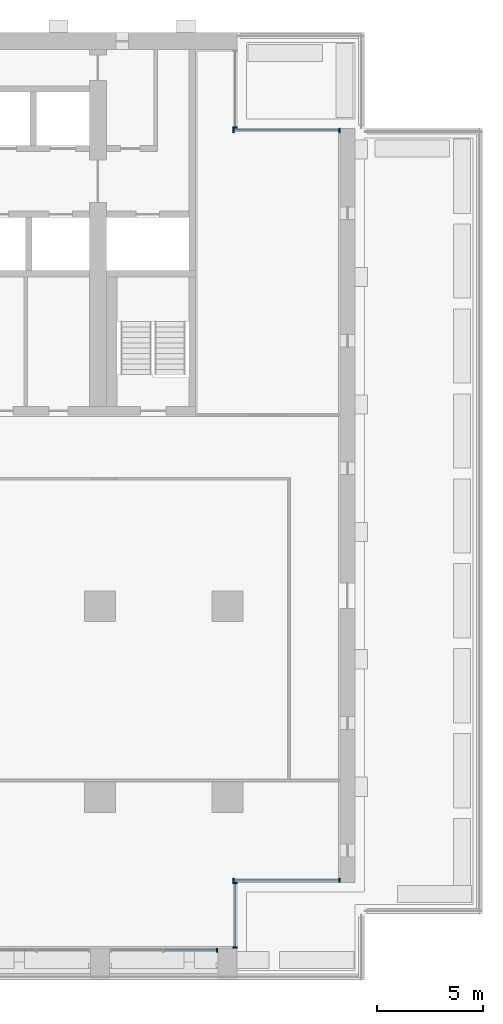
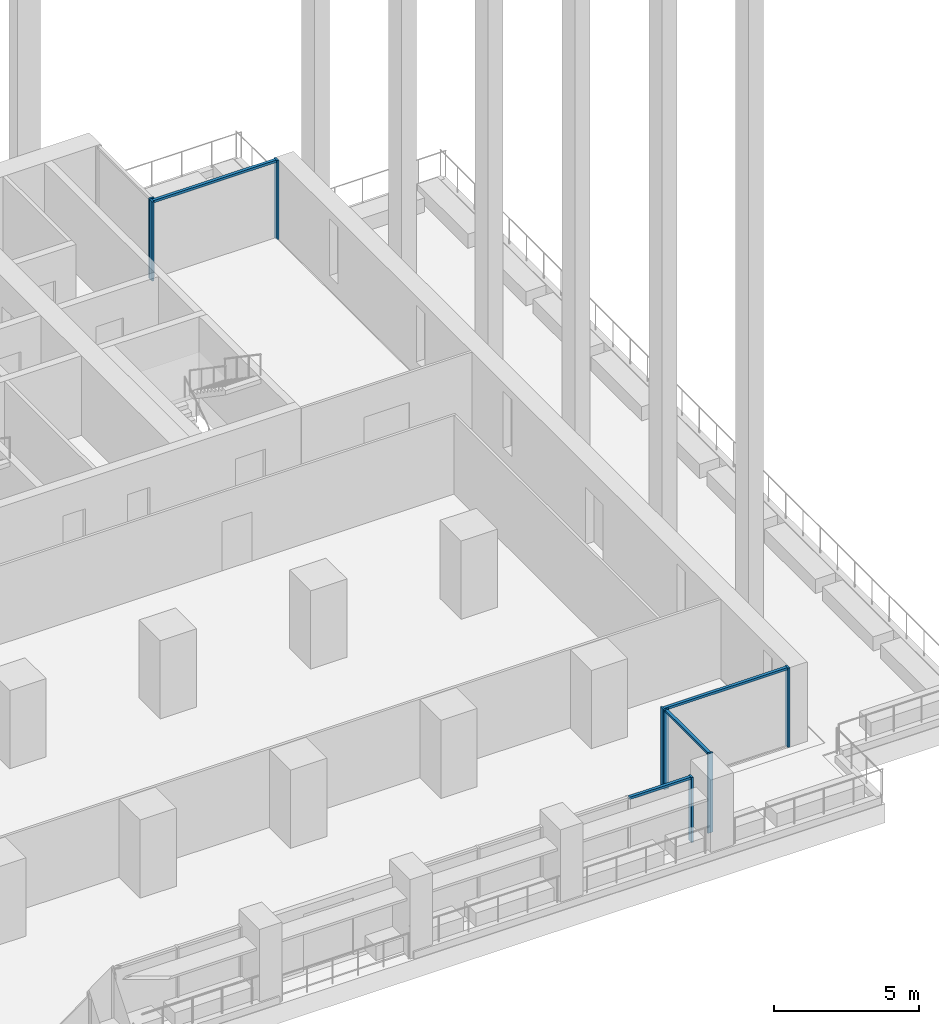
# One storey, part 5 of 18: 12 members, 5 elements without a shape of their own.
"""IFC4 building model written with IfcOpenShell, lengths in metres."""

from ifc_helpers import new_model, si_unit, direction, frame, origin, origin_2d, place, context, subcontext, project, spatial, rectangle, extrude, material, material_profile, profile_set, type_object, element, aggregate, save


model = new_model("IFC4")

# Units and contexts
model_context = context("Model", 3, precision=1e-05, world=origin(), true_north=direction((0.0, 1.0)))
body_context = subcontext(model_context, "Body", "Model", "MODEL_VIEW")
ifc_project = project(units=[si_unit("LENGTHUNIT", "METRE"), si_unit("AREAUNIT", "SQUARE_METRE"), si_unit("VOLUMEUNIT", "CUBIC_METRE"), si_unit("PLANEANGLEUNIT", "RADIAN"), si_unit("MASSUNIT", "GRAM", prefix="KILO")], contexts=[model_context])

# Site, building, storey
site_placement = place(None, origin())
site = spatial("IfcSite", under=ifc_project, at=site_placement, CompositionType="ELEMENT")
building_placement = place(site_placement, origin())
building = spatial("IfcBuilding", under=site, at=building_placement, Name="Calvaro Tower", CompositionType="ELEMENT")
storey_placement = place(building_placement, frame((0.0, 0.0, 95.0)))
storey = spatial("IfcBuildingStorey", under=building, at=storey_placement, Name="L23", CompositionType="ELEMENT", Elevation=95.0)

# Curtain wall, member
ifc_material_1 = material(Name="Anodised aluminium", Category="aluminium")
curtain_wall_type = type_object("IfcCurtainWallType", Name="Office curtain wall, middle zone", PredefinedType="NOTDEFINED", material=ifc_material_1)
curtain_wall_1_placement = place(storey_placement, origin())
curtain_wall_1 = element("IfcCurtainWall", 1, at=curtain_wall_1_placement, inside=storey, type_object=curtain_wall_type, Name="CW2 south curtain wall", PredefinedType="NOTDEFINED")
ifc_material_2 = material(Name="Anodised aluminium", Category="aluminium")
ifc_material_profile_1 = material_profile(ifc_material_2, rectangle(XDim=0.199951171875, YDim=0.070068359375, at=origin_2d()), Name="Mullion S2 70 x 200")
ifc_profile_set_1 = profile_set([ifc_material_profile_1], Name="Anodised aluminium")
member_type_1 = type_object("IfcMemberType", Name="Mullion S2 70 x 200", PredefinedType="MULLION", material=ifc_profile_set_1)
member_1_placement = place(storey_placement, frame((65.514892578125, 2.800048828125, 0.0), z_axis=(0.0, 0.0, 1.0), x_axis=(0.0, 1.0, 0.0)))
member_1 = element("IfcMember", 2, at=member_1_placement, type_object=member_type_1, Name="CW2 mullion 3", PredefinedType="MULLION", context=body_context, shape_type="SweptSolid", body=[
    extrude(rectangle(XDim=0.199951171875, YDim=0.070068359375, at=origin_2d()), origin(), (0.0, 0.0, 1.0), 2.75),
])

# Curtain wall, members
curtain_wall_2_placement = place(storey_placement, origin())
curtain_wall_2 = element("IfcCurtainWall", 3, at=curtain_wall_2_placement, inside=storey, type_object=curtain_wall_type, Name="CW2 corner curtain wall", PredefinedType="NOTDEFINED")
member_2_placement = place(storey_placement, frame((66.35009765625, 2.93505859375, 0.0), z_axis=(0.0, 0.0, 1.0), x_axis=(-1.0, 0.0, 0.0)))
member_2 = element("IfcMember", 4, at=member_2_placement, type_object=member_type_1, Name="CW2 mullion 1", PredefinedType="MULLION", context=body_context, shape_type="SweptSolid", body=[
    extrude(rectangle(XDim=0.199951171875, YDim=0.070068359375, at=origin_2d()), origin(), (0.0, 0.0, 1.0), 3.35009765625),
])
member_3_placement = place(storey_placement, frame((66.35009765625, 5.965087890625, 0.0), z_axis=(0.0, 0.0, 1.0), x_axis=(-1.0, 0.0, 0.0)))
member_3 = element("IfcMember", 5, at=member_3_placement, type_object=member_type_1, Name="CW2 mullion 2", PredefinedType="MULLION", context=body_context, shape_type="SweptSolid", body=[
    extrude(rectangle(XDim=0.199951171875, YDim=0.070068359375, at=origin_2d()), origin(), (0.0, 0.0, 1.0), 3.35009765625),
])

curtain_wall_3_placement = place(storey_placement, origin())
curtain_wall_3 = element("IfcCurtainWall", 6, at=curtain_wall_3_placement, inside=storey, type_object=curtain_wall_type, Name="CW2 corner curtain wall", PredefinedType="NOTDEFINED")
member_4_placement = place(storey_placement, frame((66.284912109375, 6.10009765625, 0.0), z_axis=(0.0, 0.0, 1.0), x_axis=(0.0, 1.0, 0.0)))
member_4 = element("IfcMember", 7, at=member_4_placement, type_object=member_type_1, Name="CW2 mullion 1", PredefinedType="MULLION", context=body_context, shape_type="SweptSolid", body=[
    extrude(rectangle(XDim=0.199951171875, YDim=0.070068359375, at=origin_2d()), origin(), (0.0, 0.0, 1.0), 3.35009765625),
])
member_5_placement = place(storey_placement, frame((71.264892578125, 6.10009765625, 0.0), z_axis=(0.0, 0.0, 1.0), x_axis=(0.0, 1.0, 0.0)))
member_5 = element("IfcMember", 8, at=member_5_placement, type_object=member_type_1, Name="CW2 mullion 2", PredefinedType="MULLION", context=body_context, shape_type="SweptSolid", body=[
    extrude(rectangle(XDim=0.199951171875, YDim=0.070068359375, at=origin_2d()), origin(), (0.0, 0.0, 1.0), 3.35009765625),
])

# Curtain wall, member
curtain_wall_4_placement = place(storey_placement, origin())
curtain_wall_4 = element("IfcCurtainWall", 9, at=curtain_wall_4_placement, inside=storey, type_object=curtain_wall_type, Name="CW2 corner curtain wall", PredefinedType="NOTDEFINED")
member_6_placement = place(storey_placement, frame((66.35009765625, 41.534912109375, 0.0), z_axis=(0.0, 0.0, 1.0), x_axis=(-1.0, 0.0, 0.0)))
member_6 = element("IfcMember", 10, at=member_6_placement, type_object=member_type_1, Name="CW2 mullion 1", PredefinedType="MULLION", context=body_context, shape_type="SweptSolid", body=[
    extrude(rectangle(XDim=0.199951171875, YDim=0.070068359375, at=origin_2d()), origin(), (0.0, 0.0, 1.0), 3.35009765625),
])
aggregate(curtain_wall_4, [member_6])

# Curtain wall, members
curtain_wall_5_placement = place(storey_placement, origin())
curtain_wall_5 = element("IfcCurtainWall", 11, at=curtain_wall_5_placement, inside=storey, type_object=curtain_wall_type, Name="CW2 corner curtain wall", PredefinedType="NOTDEFINED")
member_7_placement = place(storey_placement, frame((66.284912109375, 41.39990234375, 0.0), z_axis=(0.0, 0.0, 1.0), x_axis=(0.0, 1.0, 0.0)))
member_7 = element("IfcMember", 12, at=member_7_placement, type_object=member_type_1, Name="CW2 mullion 1", PredefinedType="MULLION", context=body_context, shape_type="SweptSolid", body=[
    extrude(rectangle(XDim=0.199951171875, YDim=0.070068359375, at=origin_2d()), origin(), (0.0, 0.0, 1.0), 3.35009765625),
])
member_8_placement = place(storey_placement, frame((71.264892578125, 41.39990234375, 0.0), z_axis=(0.0, 0.0, 1.0), x_axis=(0.0, 1.0, 0.0)))
member_8 = element("IfcMember", 13, at=member_8_placement, type_object=member_type_1, Name="CW2 mullion 2", PredefinedType="MULLION", context=body_context, shape_type="SweptSolid", body=[
    extrude(rectangle(XDim=0.199951171875, YDim=0.070068359375, at=origin_2d()), origin(), (0.0, 0.0, 1.0), 3.35009765625),
])

# Member
ifc_material_3 = material(Name="Anodised aluminium", Category="aluminium")
ifc_material_profile_2 = material_profile(ifc_material_3, rectangle(XDim=0.1201171875, YDim=0.10009765625, at=origin_2d()), Name="Transom S2 100 x 120")
ifc_profile_set_2 = profile_set([ifc_material_profile_2], Name="Anodised aluminium")
member_type_2 = type_object("IfcMemberType", Name="Transom S2 100 x 120", PredefinedType="USERDEFINED", material=ifc_profile_set_2)
member_9_placement = place(storey_placement, frame((63.034912109375, 2.800048828125, 2.699951171875), z_axis=(1.0, 0.0, 0.0), x_axis=(0.0, 1.0, 0.0)))
member_9 = element("IfcMember", 14, at=member_9_placement, type_object=member_type_2, Name="CW2 transom 2.1", ObjectType="TRANSOM", PredefinedType="USERDEFINED", context=body_context, shape_type="SweptSolid", body=[
    extrude(rectangle(XDim=0.1201171875, YDim=0.10009765625, at=origin_2d()), origin(), (0.0, 0.0, 1.0), 2.445068359375),
])

aggregate(curtain_wall_1, [member_1, member_9])

member_10_placement = place(storey_placement, frame((66.35009765625, 2.969970703125, 3.300048828125), z_axis=(0.0, 1.0, 0.0), x_axis=(-1.0, 0.0, 0.0)))
member_10 = element("IfcMember", 15, at=member_10_placement, type_object=member_type_2, Name="CW2 transom 1.1", ObjectType="TRANSOM", PredefinedType="USERDEFINED", context=body_context, shape_type="SweptSolid", body=[
    extrude(rectangle(XDim=0.1201171875, YDim=0.10009765625, at=origin_2d()), origin(), (0.0, 0.0, 1.0), 2.9599609375),
])

aggregate(curtain_wall_2, [member_2, member_3, member_10])

member_11_placement = place(storey_placement, frame((66.320068359375, 6.10009765625, 3.300048828125), z_axis=(1.0, 0.0, 0.0), x_axis=(0.0, 1.0, 0.0)))
member_11 = element("IfcMember", 16, at=member_11_placement, type_object=member_type_2, Name="CW2 transom 1.1", ObjectType="TRANSOM", PredefinedType="USERDEFINED", context=body_context, shape_type="SweptSolid", body=[
    extrude(rectangle(XDim=0.1201171875, YDim=0.10009765625, at=origin_2d()), origin(), (0.0, 0.0, 1.0), 4.909912109375),
])

aggregate(curtain_wall_3, [member_4, member_5, member_11])

member_12_placement = place(storey_placement, frame((66.320068359375, 41.39990234375, 3.300048828125), z_axis=(1.0, 0.0, 0.0), x_axis=(0.0, 1.0, 0.0)))
member_12 = element("IfcMember", 17, at=member_12_placement, type_object=member_type_2, Name="CW2 transom 1.1", ObjectType="TRANSOM", PredefinedType="USERDEFINED", context=body_context, shape_type="SweptSolid", body=[
    extrude(rectangle(XDim=0.1201171875, YDim=0.10009765625, at=origin_2d()), origin(), (0.0, 0.0, 1.0), 4.909912109375),
])

aggregate(curtain_wall_5, [member_7, member_8, member_12])

save(model, "model.ifc")
